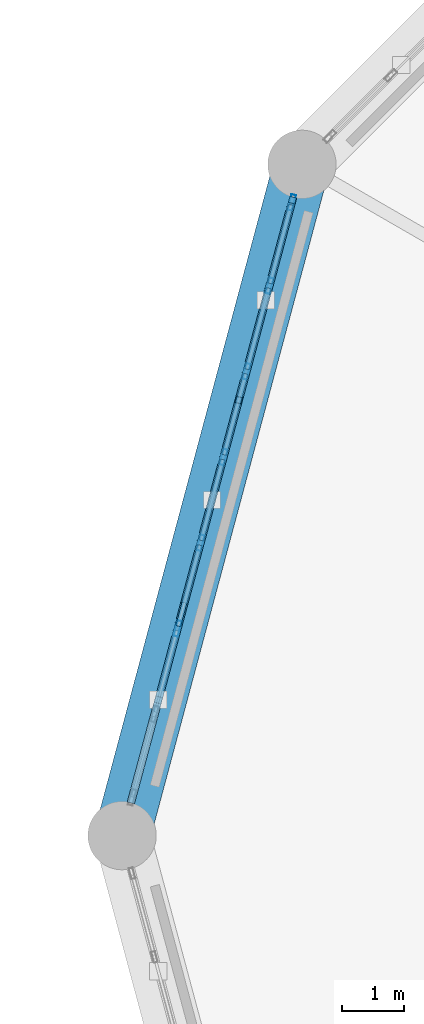
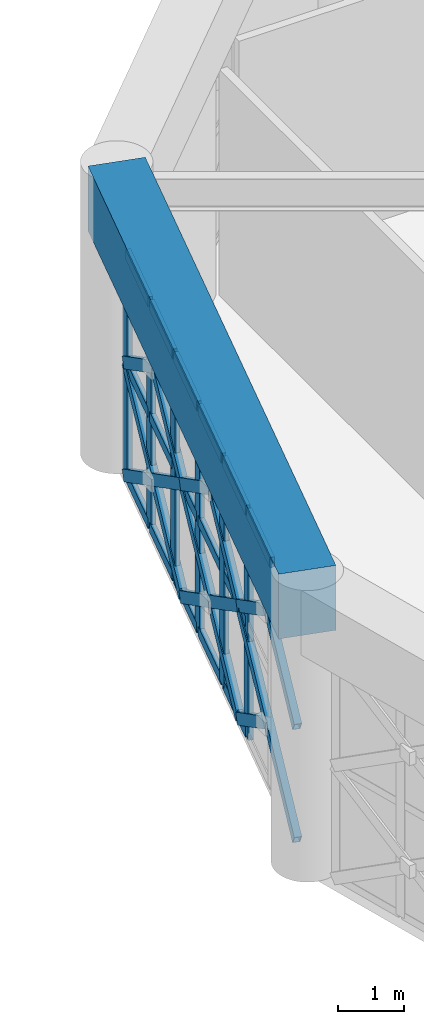
# One storey, part 19 of 72: 38 members, 1 beam, 1 element without a shape of its own.
"""IFC4 building model written with IfcOpenShell, lengths in metres."""

from ifc_helpers import new_model, si_unit, direction, frame, origin, origin_2d, place, context, subcontext, project, spatial, rectangle, hollow_rectangle, extrude, material, material_profile, profile_set, type_object, element, aggregate, save


model = new_model("IFC4")

# Units and contexts
model_context = context("Model", 3, precision=1e-05, world=origin(), true_north=direction((0.0, 1.0)))
body_context = subcontext(model_context, "Body", "Model", "MODEL_VIEW")
ifc_project = project(units=[si_unit("LENGTHUNIT", "METRE"), si_unit("AREAUNIT", "SQUARE_METRE"), si_unit("VOLUMEUNIT", "CUBIC_METRE"), si_unit("PLANEANGLEUNIT", "RADIAN"), si_unit("MASSUNIT", "GRAM", prefix="KILO")], contexts=[model_context])

# Site, building, storey
site_placement = place(None, origin())
site = spatial("IfcSite", under=ifc_project, at=site_placement, CompositionType="ELEMENT")
building_placement = place(site_placement, origin())
building = spatial("IfcBuilding", under=site, at=building_placement, Name="Haizhuo Lancet Aquarium", CompositionType="ELEMENT")
storey_placement = place(building_placement, frame((0.0, 0.0, 21.60009765625)))
storey = spatial("IfcBuildingStorey", under=building, at=storey_placement, Name="L04", CompositionType="ELEMENT", Elevation=21.60009765625)

# Beam
ifc_material_1 = material(Name="Concrete C50/60", Category="concrete")
ifc_material_profile_1 = material_profile(ifc_material_1, rectangle(XDim=0.89990234375, YDim=1.199951171875, at=origin_2d()), Name="RC-RB 900x1200")
ifc_profile_set_1 = profile_set([ifc_material_profile_1], Name="Concrete C50/60")
beam_type = type_object("IfcBeamType", Name="BM-RB-900x1200", PredefinedType="USERDEFINED", material=ifc_profile_set_1)
beam_placement = place(storey_placement, frame((-18.7060546875, 10.800048828125, 4.7998046875), z_axis=(-0.258833949056, -0.965921832664, 0.0), x_axis=(0.965921832664, -0.258833949056, 0.0)))
element("IfcBeam", 1, at=beam_placement, inside=storey, type_object=beam_type, Name="Ocean Hall dome tension ring beam RB-1 seg 6", ObjectType="RING BEAM", PredefinedType="USERDEFINED", context=body_context, shape_type="SweptSolid", body=[
    extrude(rectangle(XDim=0.89990234375, YDim=1.199951171875, at=origin_2d()), origin(), (0.0, 0.0, 1.0), 11.18115234375),
])

# Curtain wall, members
ifc_material_2 = material(Name="Aluminium 6063-T6", Category="aluminium")
curtain_wall_type = type_object("IfcCurtainWallType", Name="CWO-9990x4180", PredefinedType="NOTDEFINED", material=ifc_material_2)
curtain_wall_placement = place(storey_placement, origin())
curtain_wall = element("IfcCurtainWall", 2, at=curtain_wall_placement, inside=storey, type_object=curtain_wall_type, Name="L04 curtain wall CW-V1-L04-06", PredefinedType="NOTDEFINED")
ifc_material_profile_2 = material_profile(ifc_material_2, hollow_rectangle(XDim=0.080078125, YDim=0.260009765625, WallThickness=0.0048828125, at=origin_2d()), Name="ALU-M 80x260x5")
ifc_profile_set_2 = profile_set([ifc_material_profile_2], Name="Aluminium 6063-T6")
member_type_1 = type_object("IfcMemberType", Name="CW-MUL-3", PredefinedType="MULLION", material=ifc_profile_set_2)
member_1_placement = place(storey_placement, frame((-20.70703125, 3.33203125, 0.0), z_axis=(0.0, 0.0, 1.0), x_axis=(-0.965916791212, 0.258852762117, 0.0)))
member_1 = element("IfcMember", 3, at=member_1_placement, type_object=member_type_1, Name="CWO-99x41 mullion 3", PredefinedType="MULLION", context=body_context, shape_type="SweptSolid", body=[
    extrude(hollow_rectangle(XDim=0.080078125, YDim=0.260009765625, WallThickness=0.0048828125, at=origin_2d()), origin(), (0.0, 0.0, 1.0), 4.184814453125),
])
member_2_placement = place(storey_placement, frame((-20.337890625, 4.7109375, 0.0), z_axis=(0.0, 0.0, 1.0), x_axis=(-0.965916791212, 0.258852762117, 0.0)))
member_2 = element("IfcMember", 4, at=member_2_placement, type_object=member_type_1, Name="CWO-99x41 mullion 4", PredefinedType="MULLION", context=body_context, shape_type="SweptSolid", body=[
    extrude(hollow_rectangle(XDim=0.080078125, YDim=0.260009765625, WallThickness=0.0048828125, at=origin_2d()), origin(), (0.0, 0.0, 1.0), 4.184814453125),
])
member_3_placement = place(storey_placement, frame((-19.968017578125, 6.089111328125, 0.0), z_axis=(0.0, 0.0, 1.0), x_axis=(-0.965916791212, 0.258852762117, 0.0)))
member_3 = element("IfcMember", 5, at=member_3_placement, type_object=member_type_1, Name="CWO-99x41 mullion 5", PredefinedType="MULLION", context=body_context, shape_type="SweptSolid", body=[
    extrude(hollow_rectangle(XDim=0.080078125, YDim=0.260009765625, WallThickness=0.0048828125, at=origin_2d()), origin(), (0.0, 0.0, 1.0), 4.184814453125),
])
member_4_placement = place(storey_placement, frame((-19.59912109375, 7.468017578125, 0.0), z_axis=(0.0, 0.0, 1.0), x_axis=(-0.965916791212, 0.258852762117, 0.0)))
member_4 = element("IfcMember", 6, at=member_4_placement, type_object=member_type_1, Name="CWO-99x41 mullion 6", PredefinedType="MULLION", context=body_context, shape_type="SweptSolid", body=[
    extrude(hollow_rectangle(XDim=0.080078125, YDim=0.260009765625, WallThickness=0.0048828125, at=origin_2d()), origin(), (0.0, 0.0, 1.0), 4.184814453125),
])
member_5_placement = place(storey_placement, frame((-19.22900390625, 8.845947265625, 0.0), z_axis=(0.0, 0.0, 1.0), x_axis=(-0.965916791212, 0.258852762117, 0.0)))
member_5 = element("IfcMember", 7, at=member_5_placement, type_object=member_type_1, Name="CWO-99x41 mullion 7", PredefinedType="MULLION", context=body_context, shape_type="SweptSolid", body=[
    extrude(hollow_rectangle(XDim=0.080078125, YDim=0.260009765625, WallThickness=0.0048828125, at=origin_2d()), origin(), (0.0, 0.0, 1.0), 4.184814453125),
])
member_6_placement = place(storey_placement, frame((-18.8701171875, 10.18603515625, 0.0), z_axis=(0.0, 0.0, 1.0), x_axis=(-0.965916791212, 0.258852762117, 0.0)))
member_6 = element("IfcMember", 8, at=member_6_placement, type_object=member_type_1, Name="CWO-99x41 mullion 8", PredefinedType="MULLION", context=body_context, shape_type="SweptSolid", body=[
    extrude(hollow_rectangle(XDim=0.080078125, YDim=0.260009765625, WallThickness=0.0048828125, at=origin_2d()), origin(), (0.0, 0.0, 1.0), 4.184814453125),
])
ifc_material_profile_3 = material_profile(ifc_material_2, hollow_rectangle(XDim=0.080078125, YDim=0.18994140625, WallThickness=0.0048828125, at=origin_2d()), Name="ALU-T 80x190x5")
ifc_profile_set_3 = profile_set([ifc_material_profile_3], Name="Aluminium 6063-T6")
member_type_2 = type_object("IfcMemberType", Name="CW-TRN-3", PredefinedType="NOTDEFINED", material=ifc_profile_set_3)
member_7_placement = place(storey_placement, frame((-21.06591796875, 1.991943359375, 4.14501953125), z_axis=(0.258823600504, 0.965924605661, 0.0), x_axis=(-0.965924605661, 0.258823600504, 0.0)))
member_7 = element("IfcMember", 9, at=member_7_placement, type_object=member_type_2, Name="CWO-99x41 transom 2.3", ObjectType="TRANSOM", PredefinedType="USERDEFINED", context=body_context, shape_type="SweptSolid", body=[
    extrude(hollow_rectangle(XDim=0.080078125, YDim=0.18994140625, WallThickness=0.0048828125, at=origin_2d()), origin(), (0.0, 0.0, 1.0), 1.347900390625),
])
member_8_placement = place(storey_placement, frame((-20.697021484375, 3.37109375, 0.039794921875), z_axis=(0.259173926217, 0.965830666302, 0.0), x_axis=(-0.965830666302, 0.259173926217, 0.0)))
member_8 = element("IfcMember", 10, at=member_8_placement, type_object=member_type_2, Name="CWO-99x41 transom 3.1", ObjectType="TRANSOM", PredefinedType="USERDEFINED", context=body_context, shape_type="SweptSolid", body=[
    extrude(hollow_rectangle(XDim=0.080078125, YDim=0.18994140625, WallThickness=0.0048828125, at=origin_2d()), origin(), (0.0, 0.0, 1.0), 1.34716796875),
])
member_9_placement = place(storey_placement, frame((-20.697021484375, 3.37109375, 2.093017578125), z_axis=(0.259173926217, 0.965830666302, 0.0), x_axis=(-0.965830666302, 0.259173926217, 0.0)))
member_9 = element("IfcMember", 11, at=member_9_placement, type_object=member_type_2, Name="CWO-99x41 transom 3.2", ObjectType="TRANSOM", PredefinedType="USERDEFINED", context=body_context, shape_type="SweptSolid", body=[
    extrude(hollow_rectangle(XDim=0.080078125, YDim=0.18994140625, WallThickness=0.0048828125, at=origin_2d()), origin(), (0.0, 0.0, 1.0), 1.34716796875),
])
member_10_placement = place(storey_placement, frame((-20.697021484375, 3.37109375, 4.14501953125), z_axis=(0.259173926217, 0.965830666302, 0.0), x_axis=(-0.965830666302, 0.259173926217, 0.0)))
member_10 = element("IfcMember", 12, at=member_10_placement, type_object=member_type_2, Name="CWO-99x41 transom 3.3", ObjectType="TRANSOM", PredefinedType="USERDEFINED", context=body_context, shape_type="SweptSolid", body=[
    extrude(hollow_rectangle(XDim=0.080078125, YDim=0.18994140625, WallThickness=0.0048828125, at=origin_2d()), origin(), (0.0, 0.0, 1.0), 1.34716796875),
])
member_11_placement = place(storey_placement, frame((-20.326904296875, 4.7490234375, 0.039794921875), z_axis=(0.258147455011, 0.966105528124, 0.0), x_axis=(-0.966105528124, 0.258147455011, 0.0)))
member_11 = element("IfcMember", 13, at=member_11_placement, type_object=member_type_2, Name="CWO-99x41 transom 4.1", ObjectType="TRANSOM", PredefinedType="USERDEFINED", context=body_context, shape_type="SweptSolid", body=[
    extrude(hollow_rectangle(XDim=0.080078125, YDim=0.18994140625, WallThickness=0.0048828125, at=origin_2d()), origin(), (0.0, 0.0, 1.0), 1.34765625),
])
member_12_placement = place(storey_placement, frame((-20.326904296875, 4.7490234375, 2.093017578125), z_axis=(0.258147455011, 0.966105528124, 0.0), x_axis=(-0.966105528124, 0.258147455011, 0.0)))
member_12 = element("IfcMember", 14, at=member_12_placement, type_object=member_type_2, Name="CWO-99x41 transom 4.2", ObjectType="TRANSOM", PredefinedType="USERDEFINED", context=body_context, shape_type="SweptSolid", body=[
    extrude(hollow_rectangle(XDim=0.080078125, YDim=0.18994140625, WallThickness=0.0048828125, at=origin_2d()), origin(), (0.0, 0.0, 1.0), 1.34765625),
])
member_13_placement = place(storey_placement, frame((-20.326904296875, 4.7490234375, 4.14501953125), z_axis=(0.258147455011, 0.966105528124, 0.0), x_axis=(-0.966105528124, 0.258147455011, 0.0)))
member_13 = element("IfcMember", 15, at=member_13_placement, type_object=member_type_2, Name="CWO-99x41 transom 4.3", ObjectType="TRANSOM", PredefinedType="USERDEFINED", context=body_context, shape_type="SweptSolid", body=[
    extrude(hollow_rectangle(XDim=0.080078125, YDim=0.18994140625, WallThickness=0.0048828125, at=origin_2d()), origin(), (0.0, 0.0, 1.0), 1.34765625),
])
member_14_placement = place(storey_placement, frame((-19.9580078125, 6.1279296875, 0.039794921875), z_axis=(0.259173926217, 0.965830666302, 0.0), x_axis=(-0.965830666302, 0.259173926217, 0.0)))
member_14 = element("IfcMember", 16, at=member_14_placement, type_object=member_type_2, Name="CWO-99x41 transom 5.1", ObjectType="TRANSOM", PredefinedType="USERDEFINED", context=body_context, shape_type="SweptSolid", body=[
    extrude(hollow_rectangle(XDim=0.080078125, YDim=0.18994140625, WallThickness=0.0048828125, at=origin_2d()), origin(), (0.0, 0.0, 1.0), 1.34716796875),
])
member_15_placement = place(storey_placement, frame((-19.9580078125, 6.1279296875, 2.093017578125), z_axis=(0.259173926217, 0.965830666302, 0.0), x_axis=(-0.965830666302, 0.259173926217, 0.0)))
member_15 = element("IfcMember", 17, at=member_15_placement, type_object=member_type_2, Name="CWO-99x41 transom 5.2", ObjectType="TRANSOM", PredefinedType="USERDEFINED", context=body_context, shape_type="SweptSolid", body=[
    extrude(hollow_rectangle(XDim=0.080078125, YDim=0.18994140625, WallThickness=0.0048828125, at=origin_2d()), origin(), (0.0, 0.0, 1.0), 1.34716796875),
])
member_16_placement = place(storey_placement, frame((-19.9580078125, 6.1279296875, 4.14501953125), z_axis=(0.259173926217, 0.965830666302, 0.0), x_axis=(-0.965830666302, 0.259173926217, 0.0)))
member_16 = element("IfcMember", 18, at=member_16_placement, type_object=member_type_2, Name="CWO-99x41 transom 5.3", ObjectType="TRANSOM", PredefinedType="USERDEFINED", context=body_context, shape_type="SweptSolid", body=[
    extrude(hollow_rectangle(XDim=0.080078125, YDim=0.18994140625, WallThickness=0.0048828125, at=origin_2d()), origin(), (0.0, 0.0, 1.0), 1.34716796875),
])
member_17_placement = place(storey_placement, frame((-19.589111328125, 7.506103515625, 0.039794921875), z_axis=(0.25899257749, 0.965879311718, 0.0), x_axis=(-0.965879311718, 0.25899257749, 0.0)))
member_17 = element("IfcMember", 19, at=member_17_placement, type_object=member_type_2, Name="CWO-99x41 transom 6.1", ObjectType="TRANSOM", PredefinedType="USERDEFINED", context=body_context, shape_type="SweptSolid", body=[
    extrude(hollow_rectangle(XDim=0.080078125, YDim=0.18994140625, WallThickness=0.0048828125, at=origin_2d()), origin(), (0.0, 0.0, 1.0), 1.347900390625),
])
member_18_placement = place(storey_placement, frame((-19.589111328125, 7.506103515625, 2.093017578125), z_axis=(0.25899257749, 0.965879311718, 0.0), x_axis=(-0.965879311718, 0.25899257749, 0.0)))
member_18 = element("IfcMember", 20, at=member_18_placement, type_object=member_type_2, Name="CWO-99x41 transom 6.2", ObjectType="TRANSOM", PredefinedType="USERDEFINED", context=body_context, shape_type="SweptSolid", body=[
    extrude(hollow_rectangle(XDim=0.080078125, YDim=0.18994140625, WallThickness=0.0048828125, at=origin_2d()), origin(), (0.0, 0.0, 1.0), 1.347900390625),
])
member_19_placement = place(storey_placement, frame((-19.589111328125, 7.506103515625, 4.14501953125), z_axis=(0.25899257749, 0.965879311718, 0.0), x_axis=(-0.965879311718, 0.25899257749, 0.0)))
member_19 = element("IfcMember", 21, at=member_19_placement, type_object=member_type_2, Name="CWO-99x41 transom 6.3", ObjectType="TRANSOM", PredefinedType="USERDEFINED", context=body_context, shape_type="SweptSolid", body=[
    extrude(hollow_rectangle(XDim=0.080078125, YDim=0.18994140625, WallThickness=0.0048828125, at=origin_2d()), origin(), (0.0, 0.0, 1.0), 1.347900390625),
])
member_20_placement = place(storey_placement, frame((-19.218994140625, 8.885009765625, 0.039794921875), z_axis=(0.258452930816, 0.966023851958, 0.0), x_axis=(-0.966023851958, 0.258452930816, 0.0)))
member_20 = element("IfcMember", 22, at=member_20_placement, type_object=member_type_2, Name="CWO-99x41 transom 7.1", ObjectType="TRANSOM", PredefinedType="USERDEFINED", context=body_context, shape_type="SweptSolid", body=[
    extrude(hollow_rectangle(XDim=0.080078125, YDim=0.18994140625, WallThickness=0.0048828125, at=origin_2d()), origin(), (0.0, 0.0, 1.0), 1.307373046875),
])
member_21_placement = place(storey_placement, frame((-19.218994140625, 8.885009765625, 2.093017578125), z_axis=(0.258452930816, 0.966023851958, 0.0), x_axis=(-0.966023851958, 0.258452930816, 0.0)))
member_21 = element("IfcMember", 23, at=member_21_placement, type_object=member_type_2, Name="CWO-99x41 transom 7.2", ObjectType="TRANSOM", PredefinedType="USERDEFINED", context=body_context, shape_type="SweptSolid", body=[
    extrude(hollow_rectangle(XDim=0.080078125, YDim=0.18994140625, WallThickness=0.0048828125, at=origin_2d()), origin(), (0.0, 0.0, 1.0), 1.307373046875),
])
member_22_placement = place(storey_placement, frame((-19.218994140625, 8.885009765625, 4.14501953125), z_axis=(0.258452930816, 0.966023851958, 0.0), x_axis=(-0.966023851958, 0.258452930816, 0.0)))
member_22 = element("IfcMember", 24, at=member_22_placement, type_object=member_type_2, Name="CWO-99x41 transom 7.3", ObjectType="TRANSOM", PredefinedType="USERDEFINED", context=body_context, shape_type="SweptSolid", body=[
    extrude(hollow_rectangle(XDim=0.080078125, YDim=0.18994140625, WallThickness=0.0048828125, at=origin_2d()), origin(), (0.0, 0.0, 1.0), 1.307373046875),
])
aggregate(curtain_wall, [member_1, member_2, member_3, member_4, member_5, member_6, member_7, member_8, member_9, member_10, member_11, member_12, member_13, member_14, member_15, member_16, member_17, member_18, member_19, member_20, member_21, member_22])

# Members
ifc_material_3 = material(Name="Steel S355", Category="steel")
ifc_material_profile_4 = material_profile(ifc_material_3, hollow_rectangle(XDim=0.1201171875, YDim=0.199951171875, WallThickness=0.008056640625, at=origin_2d()), Name="RHS 120x200x8")
ifc_profile_set_4 = profile_set([ifc_material_profile_4], Name="Steel S355")
member_type_3 = type_object("IfcMemberType", Name="MEM-LB-RHS120x200", PredefinedType="BRACE", material=ifc_profile_set_4)
member_23_placement = place(storey_placement, frame((-21.446044921875, 0.574951171875, 0.0), z_axis=(0.219152972258, 0.8178359432, 0.532086783111), x_axis=(-0.965921547218, 0.258835014285, 0.0)))
element("IfcMember", 25, at=member_23_placement, inside=storey, type_object=member_type_3, Name="Gothic lancet continuous diagonal brace CW-V1-L04-06 1A", PredefinedType="BRACE", context=body_context, shape_type="SweptSolid", body=[
    extrude(hollow_rectangle(XDim=0.1201171875, YDim=0.199951171875, WallThickness=0.008056640625, at=origin_2d()), origin(), (0.0, 0.0, 1.0), 3.93359375),
])
member_24_placement = place(storey_placement, frame((-20.583984375, 3.7919921875, 0.0), z_axis=(-0.21903882882, -0.817827695142, 0.53214645778), x_axis=(0.965954592946, -0.258711662602, 0.0)))
element("IfcMember", 26, at=member_24_placement, inside=storey, type_object=member_type_3, Name="Gothic lancet split diagonal brace CW-V1-L04-06 1B1", PredefinedType="BRACE", context=body_context, shape_type="SweptSolid", body=[
    extrude(hollow_rectangle(XDim=0.1201171875, YDim=0.199951171875, WallThickness=0.008056640625, at=origin_2d()), origin(), (0.0, 0.0, 1.0), 1.96728515625),
])
member_25_placement = place(storey_placement, frame((-21.446044921875, 0.574951171875, 2.093017578125), z_axis=(0.219189157407, 0.817970979087, 0.531864259605), x_axis=(-0.965921547218, 0.258835014285, 0.0)))
element("IfcMember", 27, at=member_25_placement, inside=storey, type_object=member_type_3, Name="Gothic lancet continuous diagonal brace CW-V1-L04-06 2A", PredefinedType="BRACE", context=body_context, shape_type="SweptSolid", body=[
    extrude(hollow_rectangle(XDim=0.1201171875, YDim=0.199951171875, WallThickness=0.008056640625, at=origin_2d()), origin(), (0.0, 0.0, 1.0), 3.932861328125),
])
member_26_placement = place(storey_placement, frame((-20.583984375, 3.7919921875, 2.093017578125), z_axis=(-0.219096686113, -0.818043717557, 0.531790483462), x_axis=(0.965954592946, -0.258711662602, 0.0)))
element("IfcMember", 28, at=member_26_placement, inside=storey, type_object=member_type_3, Name="Gothic lancet split diagonal brace CW-V1-L04-06 2B1", PredefinedType="BRACE", context=body_context, shape_type="SweptSolid", body=[
    extrude(hollow_rectangle(XDim=0.1201171875, YDim=0.199951171875, WallThickness=0.008056640625, at=origin_2d()), origin(), (0.0, 0.0, 1.0), 1.966796875),
])
member_27_placement = place(storey_placement, frame((-20.583984375, 3.7919921875, 0.0), z_axis=(0.219197475284, 0.817753707708, 0.532194833081), x_axis=(-0.965901894805, 0.258908342106, 0.0)))
element("IfcMember", 29, at=member_27_placement, inside=storey, type_object=member_type_3, Name="Gothic lancet continuous diagonal brace CW-V1-L04-06 3A", PredefinedType="BRACE", context=body_context, shape_type="SweptSolid", body=[
    extrude(hollow_rectangle(XDim=0.1201171875, YDim=0.199951171875, WallThickness=0.008056640625, at=origin_2d()), origin(), (0.0, 0.0, 1.0), 3.932861328125),
])
member_28_placement = place(storey_placement, frame((-19.721923828125, 7.008056640625, 0.0), z_axis=(-0.219223711867, -0.817682100833, 0.532294041046), x_axis=(0.965888472942, -0.258958409476, 0.0)))
element("IfcMember", 30, at=member_28_placement, inside=storey, type_object=member_type_3, Name="Gothic lancet split diagonal brace CW-V1-L04-06 3B1", PredefinedType="BRACE", context=body_context, shape_type="SweptSolid", body=[
    extrude(hollow_rectangle(XDim=0.1201171875, YDim=0.199951171875, WallThickness=0.008056640625, at=origin_2d()), origin(), (0.0, 0.0, 1.0), 1.966796875),
])
member_29_placement = place(storey_placement, frame((-20.153076171875, 5.39990234375, 1.046875), z_axis=(-0.219171226687, -0.81782532519, 0.532095584336), x_axis=(0.965915316483, -0.258858265046, 0.0)))
element("IfcMember", 31, at=member_29_placement, inside=storey, type_object=member_type_3, Name="Gothic lancet split diagonal brace CW-V1-L04-06 3B2", PredefinedType="BRACE", context=body_context, shape_type="SweptSolid", body=[
    extrude(hollow_rectangle(XDim=0.1201171875, YDim=0.199951171875, WallThickness=0.008056640625, at=origin_2d()), origin(), (0.0, 0.0, 1.0), 1.966064453125),
])
member_30_placement = place(storey_placement, frame((-20.583984375, 3.7919921875, 2.093017578125), z_axis=(0.219233682486, 0.817888784874, 0.531972300069), x_axis=(-0.965901894805, 0.258908342106, 0.0)))
element("IfcMember", 32, at=member_30_placement, inside=storey, type_object=member_type_3, Name="Gothic lancet continuous diagonal brace CW-V1-L04-06 4A", PredefinedType="BRACE", context=body_context, shape_type="SweptSolid", body=[
    extrude(hollow_rectangle(XDim=0.1201171875, YDim=0.199951171875, WallThickness=0.008056640625, at=origin_2d()), origin(), (0.0, 0.0, 1.0), 3.93212890625),
])
member_31_placement = place(storey_placement, frame((-19.721923828125, 7.008056640625, 2.093017578125), z_axis=(-0.219281650132, -0.817898204654, 0.53193804596), x_axis=(0.965888472942, -0.258958409476, 0.0)))
element("IfcMember", 33, at=member_31_placement, inside=storey, type_object=member_type_3, Name="Gothic lancet split diagonal brace CW-V1-L04-06 4B1", PredefinedType="BRACE", context=body_context, shape_type="SweptSolid", body=[
    extrude(hollow_rectangle(XDim=0.1201171875, YDim=0.199951171875, WallThickness=0.008056640625, at=origin_2d()), origin(), (0.0, 0.0, 1.0), 1.96630859375),
])
member_32_placement = place(storey_placement, frame((-20.153076171875, 5.39990234375, 3.138916015625), z_axis=(-0.219185707881, -0.817879360967, 0.532006556693), x_axis=(0.965915316483, -0.258858265046, 0.0)))
element("IfcMember", 34, at=member_32_placement, inside=storey, type_object=member_type_3, Name="Gothic lancet split diagonal brace CW-V1-L04-06 4B2", PredefinedType="BRACE", context=body_context, shape_type="SweptSolid", body=[
    extrude(hollow_rectangle(XDim=0.1201171875, YDim=0.199951171875, WallThickness=0.008056640625, at=origin_2d()), origin(), (0.0, 0.0, 1.0), 1.966064453125),
])
member_33_placement = place(storey_placement, frame((-19.721923828125, 7.008056640625, 0.0), z_axis=(0.219093886519, 0.817847065908, 0.532094019582), x_axis=(-0.965939872094, 0.258766619754, 0.0)))
element("IfcMember", 35, at=member_33_placement, inside=storey, type_object=member_type_3, Name="Gothic lancet continuous diagonal brace CW-V1-L04-06 5A", PredefinedType="BRACE", context=body_context, shape_type="SweptSolid", body=[
    extrude(hollow_rectangle(XDim=0.1201171875, YDim=0.199951171875, WallThickness=0.008056640625, at=origin_2d()), origin(), (0.0, 0.0, 1.0), 3.93359375),
])
member_34_placement = place(storey_placement, frame((-18.860107421875, 10.22509765625, 0.0), z_axis=(-0.219105537151, -0.81770434743, 0.532308523118), x_axis=(0.965925141858, -0.25882159942, 0.0)))
element("IfcMember", 36, at=member_34_placement, inside=storey, type_object=member_type_3, Name="Gothic lancet split diagonal brace CW-V1-L04-06 5B1", PredefinedType="BRACE", context=body_context, shape_type="SweptSolid", body=[
    extrude(hollow_rectangle(XDim=0.1201171875, YDim=0.199951171875, WallThickness=0.008056640625, at=origin_2d()), origin(), (0.0, 0.0, 1.0), 1.966552734375),
])
member_35_placement = place(storey_placement, frame((-19.291015625, 8.616943359375, 1.046875), z_axis=(-0.219082222555, -0.817989714809, 0.531879503484), x_axis=(0.965954592946, -0.258711662602, 0.0)))
element("IfcMember", 37, at=member_35_placement, inside=storey, type_object=member_type_3, Name="Gothic lancet split diagonal brace CW-V1-L04-06 5B2", PredefinedType="BRACE", context=body_context, shape_type="SweptSolid", body=[
    extrude(hollow_rectangle(XDim=0.1201171875, YDim=0.199951171875, WallThickness=0.008056640625, at=origin_2d()), origin(), (0.0, 0.0, 1.0), 1.966796875),
])
member_36_placement = place(storey_placement, frame((-19.721923828125, 7.008056640625, 2.093017578125), z_axis=(0.219130062897, 0.817982107307, 0.531871495439), x_axis=(-0.965939872094, 0.258766619754, 0.0)))
element("IfcMember", 38, at=member_36_placement, inside=storey, type_object=member_type_3, Name="Gothic lancet continuous diagonal brace CW-V1-L04-06 6A", PredefinedType="BRACE", context=body_context, shape_type="SweptSolid", body=[
    extrude(hollow_rectangle(XDim=0.1201171875, YDim=0.199951171875, WallThickness=0.008056640625, at=origin_2d()), origin(), (0.0, 0.0, 1.0), 3.932861328125),
])
member_37_placement = place(storey_placement, frame((-18.860107421875, 10.22509765625, 2.093017578125), z_axis=(-0.219163447336, -0.817920468895, 0.531952525997), x_axis=(0.965925141858, -0.25882159942, 0.0)))
element("IfcMember", 39, at=member_37_placement, inside=storey, type_object=member_type_3, Name="Gothic lancet split diagonal brace CW-V1-L04-06 6B1", PredefinedType="BRACE", context=body_context, shape_type="SweptSolid", body=[
    extrude(hollow_rectangle(XDim=0.1201171875, YDim=0.199951171875, WallThickness=0.008056640625, at=origin_2d()), origin(), (0.0, 0.0, 1.0), 1.966064453125),
])
member_38_placement = place(storey_placement, frame((-19.291015625, 8.616943359375, 3.138916015625), z_axis=(-0.219096686113, -0.818043717557, 0.531790483462), x_axis=(0.965954592946, -0.258711662602, 0.0)))
element("IfcMember", 40, at=member_38_placement, inside=storey, type_object=member_type_3, Name="Gothic lancet split diagonal brace CW-V1-L04-06 6B2", PredefinedType="BRACE", context=body_context, shape_type="SweptSolid", body=[
    extrude(hollow_rectangle(XDim=0.1201171875, YDim=0.199951171875, WallThickness=0.008056640625, at=origin_2d()), origin(), (0.0, 0.0, 1.0), 1.966796875),
])

save(model, "model.ifc")
